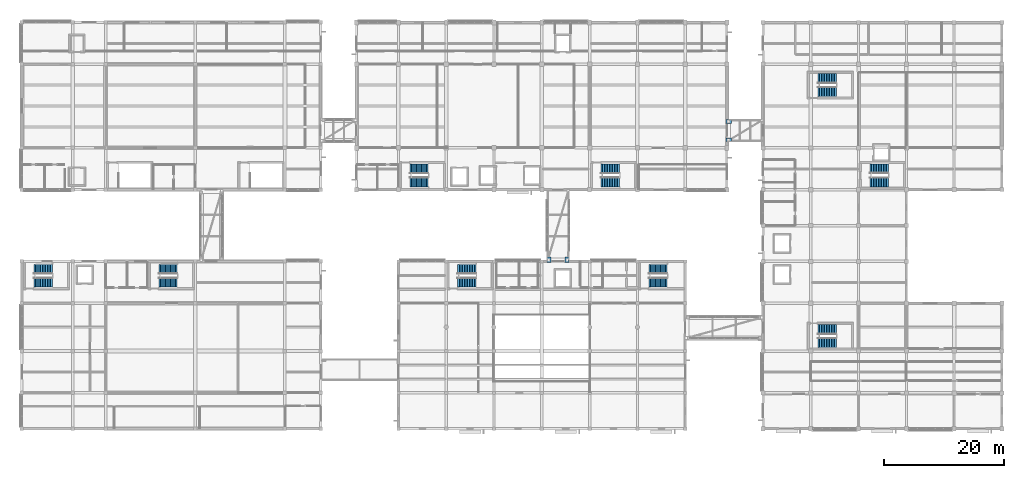
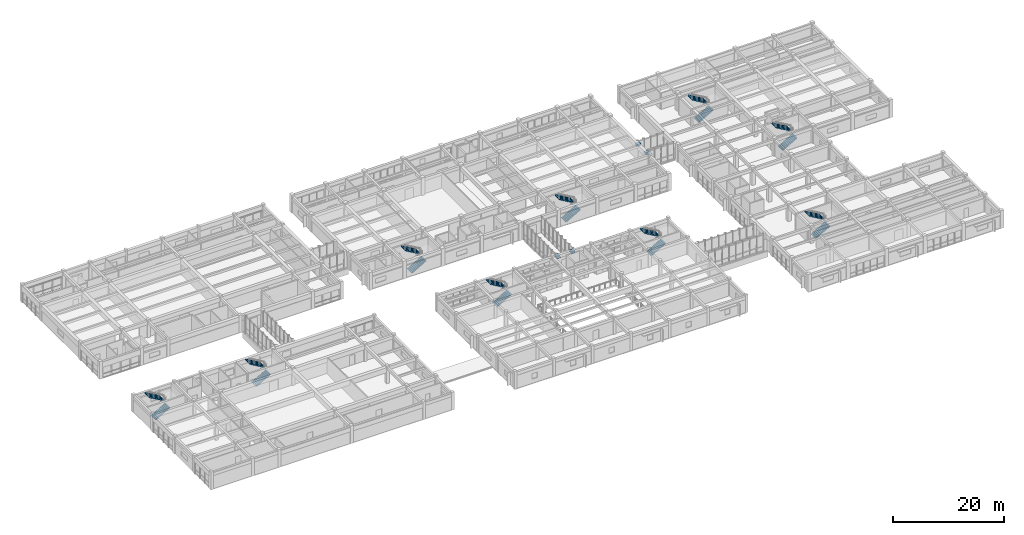
# One storey, part 55 of 66: 18 stair flights, 4 discrete accessories, 9 elements without a shape of their own.
"""IFC4 building model written with IfcOpenShell, lengths in metres."""

from ifc_helpers import new_model, si_unit, direction, frame, origin, origin_2d, place, context, subcontext, project, spatial, polyline, rectangle, outline, extrude, material, type_object, element, aggregate, save


model = new_model("IFC4")

# Units and contexts
model_context = context("Model", 3, precision=1e-05, world=origin(), true_north=direction((0.0, 1.0)))
body_context = subcontext(model_context, "Body", "Model", "MODEL_VIEW")
ifc_project = project(units=[si_unit("LENGTHUNIT", "METRE"), si_unit("AREAUNIT", "SQUARE_METRE"), si_unit("VOLUMEUNIT", "CUBIC_METRE"), si_unit("PLANEANGLEUNIT", "RADIAN"), si_unit("MASSUNIT", "GRAM", prefix="KILO")], contexts=[model_context])

# Site, building, storey
site_placement = place(None, origin())
site = spatial("IfcSite", under=ifc_project, at=site_placement, CompositionType="ELEMENT")
building_placement = place(site_placement, origin())
building = spatial("IfcBuilding", under=site, at=building_placement, Name="Naurynzar Civic Courthouse", CompositionType="ELEMENT")
storey_placement = place(building_placement, frame((0.0, 0.0, 14.39990234375)))
storey = spatial("IfcBuildingStorey", under=building, at=storey_placement, Name="L04", CompositionType="ELEMENT", Elevation=14.39990234375)

# Stair, stair flights
ifc_material_1 = material(Name="Concrete C35/45", Category="concrete")
stair_type_1 = type_object("IfcStairType", Name="STAIR-CUS-1550", PredefinedType="TWO_STRAIGHT_RUN_STAIR", material=ifc_material_1)
stair_1_placement = place(storey_placement, origin())
stair_1 = element("IfcStair", 1, at=stair_1_placement, inside=storey, type_object=stair_type_1, Name="Enclosed escape stair ST-CUS L04", PredefinedType="TWO_STRAIGHT_RUN_STAIR")
ifc_material_2 = material(Name="Concrete C35/45", Category="concrete")
stair_flight_type_1 = type_object("IfcStairFlightType", Name="FLIGHT-RC-1550", PredefinedType="STRAIGHT", material=ifc_material_2)
stair_flight_1_placement = place(storey_placement, frame((147.89990234375, 45.2548828125, 0.0), z_axis=(0.0, 0.0, 1.0), x_axis=(1.0, 0.0, 0.0)))
stair_flight_1 = element("IfcStairFlight", 2, at=stair_flight_1_placement, type_object=stair_flight_type_1, Name="ST-CUS-L04 flight 1", NumberOfRisers=12, NumberOfTreads=11, PredefinedType="STRAIGHT", RiserHeight=0.1625, TreadLength=0.28, context=body_context, shape_type="SweptSolid", body=[
    extrude(outline(polyline([(0.0, 0.0), (0.0, 0.16259765625), (0.280029296875, 0.16259765625), (0.280029296875, 0.324951171875), (0.56005859375, 0.324951171875), (0.56005859375, 0.487548828125), (0.840087890625, 0.487548828125), (0.840087890625, 0.64990234375), (1.1201171875, 0.64990234375), (1.1201171875, 0.8125), (1.39990234375, 0.8125), (1.39990234375, 0.97509765625), (1.679931640625, 0.97509765625), (1.679931640625, 1.137451171875), (1.9599609375, 1.137451171875), (1.9599609375, 1.300048828125), (2.239990234375, 1.300048828125), (2.239990234375, 1.46240234375), (2.52001953125, 1.46240234375), (2.52001953125, 1.625), (2.800048828125, 1.625), (2.800048828125, 1.78759765625), (3.080078125, 1.78759765625), (3.080078125, 1.949951171875), (3.080078125, 1.579345703125), (0.3583984375, 0.0), (0.0, 0.0)])), frame((0.0, 0.77490234375, 0.0), z_axis=(0.0, -1.0, 0.0), x_axis=(1.0, 0.0, 0.0)), (0.0, 0.0, 1.0), 1.550048828125),
])
stair_flight_2_placement = place(storey_placement, frame((150.97998046875, 47.544921875, 1.9501953125), z_axis=(0.0, 0.0, 1.0), x_axis=(-1.0, 0.0, 0.0)))
stair_flight_2 = element("IfcStairFlight", 3, at=stair_flight_2_placement, type_object=stair_flight_type_1, Name="ST-CUS-L04 flight 2", NumberOfRisers=12, NumberOfTreads=11, PredefinedType="STRAIGHT", RiserHeight=0.1625, TreadLength=0.28, context=body_context, shape_type="SweptSolid", body=[
    extrude(outline(polyline([(0.0, 0.0), (0.0, 0.16259765625), (0.280029296875, 0.16259765625), (0.280029296875, 0.324951171875), (0.56005859375, 0.324951171875), (0.56005859375, 0.487548828125), (0.840087890625, 0.487548828125), (0.840087890625, 0.64990234375), (1.1201171875, 0.64990234375), (1.1201171875, 0.8125), (1.39990234375, 0.8125), (1.39990234375, 0.97509765625), (1.679931640625, 0.97509765625), (1.679931640625, 1.137451171875), (1.9599609375, 1.137451171875), (1.9599609375, 1.300048828125), (2.239990234375, 1.300048828125), (2.239990234375, 1.46240234375), (2.52001953125, 1.46240234375), (2.52001953125, 1.625), (2.800048828125, 1.625), (2.800048828125, 1.78759765625), (3.080078125, 1.78759765625), (3.080078125, 1.949951171875), (3.080078125, 1.579345703125), (0.3583984375, 0.0), (0.0, 0.0)])), frame((0.0, 0.77490234375, 0.0), z_axis=(0.0, -1.0, 0.0), x_axis=(1.0, 0.0, 0.0)), (0.0, 0.0, 1.0), 1.550048828125),
])
aggregate(stair_1, [stair_flight_1, stair_flight_2])

ifc_material_3 = material(Name="Concrete C35/45", Category="concrete")
stair_type_2 = type_object("IfcStairType", Name="STAIR-CORE-1600", PredefinedType="TWO_STRAIGHT_RUN_STAIR", material=ifc_material_3)
stair_2_placement = place(storey_placement, origin())
stair_2 = element("IfcStair", 4, at=stair_2_placement, inside=storey, type_object=stair_type_2, Name="Enclosed escape stair ST-V4A L04", PredefinedType="TWO_STRAIGHT_RUN_STAIR")
ifc_material_4 = material(Name="Concrete C35/45", Category="concrete")
stair_flight_type_2 = type_object("IfcStairFlightType", Name="FLIGHT-RC-1600", PredefinedType="STRAIGHT", material=ifc_material_4)
stair_flight_3_placement = place(storey_placement, frame((8.0, 28.47998046875, 0.0), z_axis=(0.0, 0.0, 1.0), x_axis=(1.0, 0.0, 0.0)))
stair_flight_3 = element("IfcStairFlight", 5, at=stair_flight_3_placement, type_object=stair_flight_type_2, Name="ST-V4A-L04 flight 1", NumberOfRisers=12, NumberOfTreads=11, PredefinedType="STRAIGHT", RiserHeight=0.1625, TreadLength=0.28, context=body_context, shape_type="SweptSolid", body=[
    extrude(outline(polyline([(0.0, 0.0), (0.0, 0.16259765625), (0.280029296875, 0.16259765625), (0.280029296875, 0.324951171875), (0.56005859375, 0.324951171875), (0.56005859375, 0.487548828125), (0.840087890625, 0.487548828125), (0.840087890625, 0.64990234375), (1.1201171875, 0.64990234375), (1.1201171875, 0.8125), (1.39990234375, 0.8125), (1.39990234375, 0.97509765625), (1.679931640625, 0.97509765625), (1.679931640625, 1.137451171875), (1.9599609375, 1.137451171875), (1.9599609375, 1.300048828125), (2.239990234375, 1.300048828125), (2.239990234375, 1.46240234375), (2.52001953125, 1.46240234375), (2.52001953125, 1.625), (2.800048828125, 1.625), (2.800048828125, 1.78759765625), (3.080078125, 1.78759765625), (3.080078125, 1.949951171875), (3.080078125, 1.579345703125), (0.3583984375, 0.0), (0.0, 0.0)])), frame((0.0, 0.800048828125, 0.0), z_axis=(0.0, -1.0, 0.0), x_axis=(1.0, 0.0, 0.0)), (0.0, 0.0, 1.0), 1.60009765625),
])
stair_flight_4_placement = place(storey_placement, frame((11.080078125, 30.719970703125, 1.9501953125), z_axis=(0.0, 0.0, 1.0), x_axis=(-1.0, 0.0, 0.0)))
stair_flight_4 = element("IfcStairFlight", 6, at=stair_flight_4_placement, type_object=stair_flight_type_2, Name="ST-V4A-L04 flight 2", NumberOfRisers=12, NumberOfTreads=11, PredefinedType="STRAIGHT", RiserHeight=0.1625, TreadLength=0.28, context=body_context, shape_type="SweptSolid", body=[
    extrude(outline(polyline([(0.0, 0.0), (0.0, 0.16259765625), (0.280029296875, 0.16259765625), (0.280029296875, 0.324951171875), (0.56005859375, 0.324951171875), (0.56005859375, 0.487548828125), (0.840087890625, 0.487548828125), (0.840087890625, 0.64990234375), (1.1201171875, 0.64990234375), (1.1201171875, 0.8125), (1.39990234375, 0.8125), (1.39990234375, 0.97509765625), (1.679931640625, 0.97509765625), (1.679931640625, 1.137451171875), (1.9599609375, 1.137451171875), (1.9599609375, 1.300048828125), (2.239990234375, 1.300048828125), (2.239990234375, 1.46240234375), (2.52001953125, 1.46240234375), (2.52001953125, 1.625), (2.800048828125, 1.625), (2.800048828125, 1.78759765625), (3.080078125, 1.78759765625), (3.080078125, 1.949951171875), (3.080078125, 1.579345703125), (0.3583984375, 0.0), (0.0, 0.0)])), frame((0.0, 0.800048828125, 0.0), z_axis=(0.0, -1.0, 0.0), x_axis=(1.0, 0.0, 0.0)), (0.0, 0.0, 1.0), 1.60009765625),
])
aggregate(stair_2, [stair_flight_3, stair_flight_4])

stair_3_placement = place(storey_placement, origin())
stair_3 = element("IfcStair", 7, at=stair_3_placement, inside=storey, type_object=stair_type_2, Name="Enclosed escape stair ST-V4B L04", PredefinedType="TWO_STRAIGHT_RUN_STAIR")
stair_flight_5_placement = place(storey_placement, frame((28.89990234375, 28.47998046875, 0.0), z_axis=(0.0, 0.0, 1.0), x_axis=(1.0, 0.0, 0.0)))
stair_flight_5 = element("IfcStairFlight", 8, at=stair_flight_5_placement, type_object=stair_flight_type_2, Name="ST-V4B-L04 flight 1", NumberOfRisers=12, NumberOfTreads=11, PredefinedType="STRAIGHT", RiserHeight=0.1625, TreadLength=0.28, context=body_context, shape_type="SweptSolid", body=[
    extrude(outline(polyline([(0.0, 0.0), (0.0, 0.16259765625), (0.280029296875, 0.16259765625), (0.280029296875, 0.324951171875), (0.56005859375, 0.324951171875), (0.56005859375, 0.487548828125), (0.840087890625, 0.487548828125), (0.840087890625, 0.64990234375), (1.1201171875, 0.64990234375), (1.1201171875, 0.8125), (1.39990234375, 0.8125), (1.39990234375, 0.97509765625), (1.679931640625, 0.97509765625), (1.679931640625, 1.137451171875), (1.9599609375, 1.137451171875), (1.9599609375, 1.300048828125), (2.239990234375, 1.300048828125), (2.239990234375, 1.46240234375), (2.52001953125, 1.46240234375), (2.52001953125, 1.625), (2.800048828125, 1.625), (2.800048828125, 1.78759765625), (3.080078125, 1.78759765625), (3.080078125, 1.949951171875), (3.080078125, 1.579345703125), (0.3583984375, 0.0), (0.0, 0.0)])), frame((0.0, 0.800048828125, 0.0), z_axis=(0.0, -1.0, 0.0), x_axis=(1.0, 0.0, 0.0)), (0.0, 0.0, 1.0), 1.60009765625),
])
stair_flight_6_placement = place(storey_placement, frame((31.97998046875, 30.719970703125, 1.9501953125), z_axis=(0.0, 0.0, 1.0), x_axis=(-1.0, 0.0, 0.0)))
stair_flight_6 = element("IfcStairFlight", 9, at=stair_flight_6_placement, type_object=stair_flight_type_2, Name="ST-V4B-L04 flight 2", NumberOfRisers=12, NumberOfTreads=11, PredefinedType="STRAIGHT", RiserHeight=0.1625, TreadLength=0.28, context=body_context, shape_type="SweptSolid", body=[
    extrude(outline(polyline([(0.0, 0.0), (0.0, 0.16259765625), (0.280029296875, 0.16259765625), (0.280029296875, 0.324951171875), (0.56005859375, 0.324951171875), (0.56005859375, 0.487548828125), (0.840087890625, 0.487548828125), (0.840087890625, 0.64990234375), (1.1201171875, 0.64990234375), (1.1201171875, 0.8125), (1.39990234375, 0.8125), (1.39990234375, 0.97509765625), (1.679931640625, 0.97509765625), (1.679931640625, 1.137451171875), (1.9599609375, 1.137451171875), (1.9599609375, 1.300048828125), (2.239990234375, 1.300048828125), (2.239990234375, 1.46240234375), (2.52001953125, 1.46240234375), (2.52001953125, 1.625), (2.800048828125, 1.625), (2.800048828125, 1.78759765625), (3.080078125, 1.78759765625), (3.080078125, 1.949951171875), (3.080078125, 1.579345703125), (0.3583984375, 0.0), (0.0, 0.0)])), frame((0.0, 0.800048828125, 0.0), z_axis=(0.0, -1.0, 0.0), x_axis=(1.0, 0.0, 0.0)), (0.0, 0.0, 1.0), 1.60009765625),
])
aggregate(stair_3, [stair_flight_5, stair_flight_6])

stair_4_placement = place(storey_placement, origin())
stair_4 = element("IfcStair", 10, at=stair_4_placement, inside=storey, type_object=stair_type_2, Name="Enclosed escape stair ST-V2A L04", PredefinedType="TWO_STRAIGHT_RUN_STAIR")
stair_flight_7_placement = place(storey_placement, frame((70.89990234375, 45.280029296875, 0.0), z_axis=(0.0, 0.0, 1.0), x_axis=(1.0, 0.0, 0.0)))
stair_flight_7 = element("IfcStairFlight", 11, at=stair_flight_7_placement, type_object=stair_flight_type_2, Name="ST-V2A-L04 flight 1", NumberOfRisers=12, NumberOfTreads=11, PredefinedType="STRAIGHT", RiserHeight=0.1625, TreadLength=0.28, context=body_context, shape_type="SweptSolid", body=[
    extrude(outline(polyline([(0.0, 0.0), (0.0, 0.16259765625), (0.280029296875, 0.16259765625), (0.280029296875, 0.324951171875), (0.56005859375, 0.324951171875), (0.56005859375, 0.487548828125), (0.840087890625, 0.487548828125), (0.840087890625, 0.64990234375), (1.1201171875, 0.64990234375), (1.1201171875, 0.8125), (1.39990234375, 0.8125), (1.39990234375, 0.97509765625), (1.679931640625, 0.97509765625), (1.679931640625, 1.137451171875), (1.9599609375, 1.137451171875), (1.9599609375, 1.300048828125), (2.239990234375, 1.300048828125), (2.239990234375, 1.46240234375), (2.52001953125, 1.46240234375), (2.52001953125, 1.625), (2.800048828125, 1.625), (2.800048828125, 1.78759765625), (3.080078125, 1.78759765625), (3.080078125, 1.949951171875), (3.080078125, 1.579345703125), (0.3583984375, 0.0), (0.0, 0.0)])), frame((0.0, 0.800048828125, 0.0), z_axis=(0.0, -1.0, 0.0), x_axis=(1.0, 0.0, 0.0)), (0.0, 0.0, 1.0), 1.60009765625),
])
stair_flight_8_placement = place(storey_placement, frame((73.97998046875, 47.52001953125, 1.9501953125), z_axis=(0.0, 0.0, 1.0), x_axis=(-1.0, 0.0, 0.0)))
stair_flight_8 = element("IfcStairFlight", 12, at=stair_flight_8_placement, type_object=stair_flight_type_2, Name="ST-V2A-L04 flight 2", NumberOfRisers=12, NumberOfTreads=11, PredefinedType="STRAIGHT", RiserHeight=0.1625, TreadLength=0.28, context=body_context, shape_type="SweptSolid", body=[
    extrude(outline(polyline([(0.0, 0.0), (0.0, 0.16259765625), (0.280029296875, 0.16259765625), (0.280029296875, 0.324951171875), (0.56005859375, 0.324951171875), (0.56005859375, 0.487548828125), (0.840087890625, 0.487548828125), (0.840087890625, 0.64990234375), (1.1201171875, 0.64990234375), (1.1201171875, 0.8125), (1.39990234375, 0.8125), (1.39990234375, 0.97509765625), (1.679931640625, 0.97509765625), (1.679931640625, 1.137451171875), (1.9599609375, 1.137451171875), (1.9599609375, 1.300048828125), (2.239990234375, 1.300048828125), (2.239990234375, 1.46240234375), (2.52001953125, 1.46240234375), (2.52001953125, 1.625), (2.800048828125, 1.625), (2.800048828125, 1.78759765625), (3.080078125, 1.78759765625), (3.080078125, 1.949951171875), (3.080078125, 1.579345703125), (0.3583984375, 0.0), (0.0, 0.0)])), frame((0.0, 0.800048828125, 0.0), z_axis=(0.0, -1.0, 0.0), x_axis=(1.0, 0.0, 0.0)), (0.0, 0.0, 1.0), 1.60009765625),
])
aggregate(stair_4, [stair_flight_7, stair_flight_8])

stair_5_placement = place(storey_placement, origin())
stair_5 = element("IfcStair", 13, at=stair_5_placement, inside=storey, type_object=stair_type_2, Name="Enclosed escape stair ST-V2B L04", PredefinedType="TWO_STRAIGHT_RUN_STAIR")
stair_flight_9_placement = place(storey_placement, frame((102.89990234375, 45.280029296875, 0.0), z_axis=(0.0, 0.0, 1.0), x_axis=(1.0, 0.0, 0.0)))
stair_flight_9 = element("IfcStairFlight", 14, at=stair_flight_9_placement, type_object=stair_flight_type_2, Name="ST-V2B-L04 flight 1", NumberOfRisers=12, NumberOfTreads=11, PredefinedType="STRAIGHT", RiserHeight=0.1625, TreadLength=0.28, context=body_context, shape_type="SweptSolid", body=[
    extrude(outline(polyline([(0.0, 0.0), (0.0, 0.16259765625), (0.280029296875, 0.16259765625), (0.280029296875, 0.324951171875), (0.56005859375, 0.324951171875), (0.56005859375, 0.487548828125), (0.840087890625, 0.487548828125), (0.840087890625, 0.64990234375), (1.1201171875, 0.64990234375), (1.1201171875, 0.8125), (1.39990234375, 0.8125), (1.39990234375, 0.97509765625), (1.679931640625, 0.97509765625), (1.679931640625, 1.137451171875), (1.9599609375, 1.137451171875), (1.9599609375, 1.300048828125), (2.239990234375, 1.300048828125), (2.239990234375, 1.46240234375), (2.52001953125, 1.46240234375), (2.52001953125, 1.625), (2.800048828125, 1.625), (2.800048828125, 1.78759765625), (3.080078125, 1.78759765625), (3.080078125, 1.949951171875), (3.080078125, 1.579345703125), (0.3583984375, 0.0), (0.0, 0.0)])), frame((0.0, 0.800048828125, 0.0), z_axis=(0.0, -1.0, 0.0), x_axis=(1.0, 0.0, 0.0)), (0.0, 0.0, 1.0), 1.60009765625),
])
stair_flight_10_placement = place(storey_placement, frame((105.97998046875, 47.52001953125, 1.9501953125), z_axis=(0.0, 0.0, 1.0), x_axis=(-1.0, 0.0, 0.0)))
stair_flight_10 = element("IfcStairFlight", 15, at=stair_flight_10_placement, type_object=stair_flight_type_2, Name="ST-V2B-L04 flight 2", NumberOfRisers=12, NumberOfTreads=11, PredefinedType="STRAIGHT", RiserHeight=0.1625, TreadLength=0.28, context=body_context, shape_type="SweptSolid", body=[
    extrude(outline(polyline([(0.0, 0.0), (0.0, 0.16259765625), (0.280029296875, 0.16259765625), (0.280029296875, 0.324951171875), (0.56005859375, 0.324951171875), (0.56005859375, 0.487548828125), (0.840087890625, 0.487548828125), (0.840087890625, 0.64990234375), (1.1201171875, 0.64990234375), (1.1201171875, 0.8125), (1.39990234375, 0.8125), (1.39990234375, 0.97509765625), (1.679931640625, 0.97509765625), (1.679931640625, 1.137451171875), (1.9599609375, 1.137451171875), (1.9599609375, 1.300048828125), (2.239990234375, 1.300048828125), (2.239990234375, 1.46240234375), (2.52001953125, 1.46240234375), (2.52001953125, 1.625), (2.800048828125, 1.625), (2.800048828125, 1.78759765625), (3.080078125, 1.78759765625), (3.080078125, 1.949951171875), (3.080078125, 1.579345703125), (0.3583984375, 0.0), (0.0, 0.0)])), frame((0.0, 0.800048828125, 0.0), z_axis=(0.0, -1.0, 0.0), x_axis=(1.0, 0.0, 0.0)), (0.0, 0.0, 1.0), 1.60009765625),
])
aggregate(stair_5, [stair_flight_9, stair_flight_10])

stair_6_placement = place(storey_placement, origin())
stair_6 = element("IfcStair", 16, at=stair_6_placement, inside=storey, type_object=stair_type_2, Name="Enclosed escape stair ST-V3A L04", PredefinedType="TWO_STRAIGHT_RUN_STAIR")
stair_flight_11_placement = place(storey_placement, frame((78.89990234375, 28.47998046875, 0.0), z_axis=(0.0, 0.0, 1.0), x_axis=(1.0, 0.0, 0.0)))
stair_flight_11 = element("IfcStairFlight", 17, at=stair_flight_11_placement, type_object=stair_flight_type_2, Name="ST-V3A-L04 flight 1", NumberOfRisers=12, NumberOfTreads=11, PredefinedType="STRAIGHT", RiserHeight=0.1625, TreadLength=0.28, context=body_context, shape_type="SweptSolid", body=[
    extrude(outline(polyline([(0.0, 0.0), (0.0, 0.16259765625), (0.280029296875, 0.16259765625), (0.280029296875, 0.324951171875), (0.56005859375, 0.324951171875), (0.56005859375, 0.487548828125), (0.840087890625, 0.487548828125), (0.840087890625, 0.64990234375), (1.1201171875, 0.64990234375), (1.1201171875, 0.8125), (1.39990234375, 0.8125), (1.39990234375, 0.97509765625), (1.679931640625, 0.97509765625), (1.679931640625, 1.137451171875), (1.9599609375, 1.137451171875), (1.9599609375, 1.300048828125), (2.239990234375, 1.300048828125), (2.239990234375, 1.46240234375), (2.52001953125, 1.46240234375), (2.52001953125, 1.625), (2.800048828125, 1.625), (2.800048828125, 1.78759765625), (3.080078125, 1.78759765625), (3.080078125, 1.949951171875), (3.080078125, 1.579345703125), (0.3583984375, 0.0), (0.0, 0.0)])), frame((0.0, 0.800048828125, 0.0), z_axis=(0.0, -1.0, 0.0), x_axis=(1.0, 0.0, 0.0)), (0.0, 0.0, 1.0), 1.60009765625),
])
stair_flight_12_placement = place(storey_placement, frame((81.97998046875, 30.719970703125, 1.9501953125), z_axis=(0.0, 0.0, 1.0), x_axis=(-1.0, 0.0, 0.0)))
stair_flight_12 = element("IfcStairFlight", 18, at=stair_flight_12_placement, type_object=stair_flight_type_2, Name="ST-V3A-L04 flight 2", NumberOfRisers=12, NumberOfTreads=11, PredefinedType="STRAIGHT", RiserHeight=0.1625, TreadLength=0.28, context=body_context, shape_type="SweptSolid", body=[
    extrude(outline(polyline([(0.0, 0.0), (0.0, 0.16259765625), (0.280029296875, 0.16259765625), (0.280029296875, 0.324951171875), (0.56005859375, 0.324951171875), (0.56005859375, 0.487548828125), (0.840087890625, 0.487548828125), (0.840087890625, 0.64990234375), (1.1201171875, 0.64990234375), (1.1201171875, 0.8125), (1.39990234375, 0.8125), (1.39990234375, 0.97509765625), (1.679931640625, 0.97509765625), (1.679931640625, 1.137451171875), (1.9599609375, 1.137451171875), (1.9599609375, 1.300048828125), (2.239990234375, 1.300048828125), (2.239990234375, 1.46240234375), (2.52001953125, 1.46240234375), (2.52001953125, 1.625), (2.800048828125, 1.625), (2.800048828125, 1.78759765625), (3.080078125, 1.78759765625), (3.080078125, 1.949951171875), (3.080078125, 1.579345703125), (0.3583984375, 0.0), (0.0, 0.0)])), frame((0.0, 0.800048828125, 0.0), z_axis=(0.0, -1.0, 0.0), x_axis=(1.0, 0.0, 0.0)), (0.0, 0.0, 1.0), 1.60009765625),
])
aggregate(stair_6, [stair_flight_11, stair_flight_12])

stair_7_placement = place(storey_placement, origin())
stair_7 = element("IfcStair", 19, at=stair_7_placement, inside=storey, type_object=stair_type_2, Name="Enclosed escape stair ST-V3B L04", PredefinedType="TWO_STRAIGHT_RUN_STAIR")
stair_flight_13_placement = place(storey_placement, frame((110.89990234375, 28.47998046875, 0.0), z_axis=(0.0, 0.0, 1.0), x_axis=(1.0, 0.0, 0.0)))
stair_flight_13 = element("IfcStairFlight", 20, at=stair_flight_13_placement, type_object=stair_flight_type_2, Name="ST-V3B-L04 flight 1", NumberOfRisers=12, NumberOfTreads=11, PredefinedType="STRAIGHT", RiserHeight=0.1625, TreadLength=0.28, context=body_context, shape_type="SweptSolid", body=[
    extrude(outline(polyline([(0.0, 0.0), (0.0, 0.16259765625), (0.280029296875, 0.16259765625), (0.280029296875, 0.324951171875), (0.56005859375, 0.324951171875), (0.56005859375, 0.487548828125), (0.840087890625, 0.487548828125), (0.840087890625, 0.64990234375), (1.1201171875, 0.64990234375), (1.1201171875, 0.8125), (1.39990234375, 0.8125), (1.39990234375, 0.97509765625), (1.679931640625, 0.97509765625), (1.679931640625, 1.137451171875), (1.9599609375, 1.137451171875), (1.9599609375, 1.300048828125), (2.239990234375, 1.300048828125), (2.239990234375, 1.46240234375), (2.52001953125, 1.46240234375), (2.52001953125, 1.625), (2.800048828125, 1.625), (2.800048828125, 1.78759765625), (3.080078125, 1.78759765625), (3.080078125, 1.949951171875), (3.080078125, 1.579345703125), (0.3583984375, 0.0), (0.0, 0.0)])), frame((0.0, 0.800048828125, 0.0), z_axis=(0.0, -1.0, 0.0), x_axis=(1.0, 0.0, 0.0)), (0.0, 0.0, 1.0), 1.60009765625),
])
stair_flight_14_placement = place(storey_placement, frame((113.97998046875, 30.719970703125, 1.9501953125), z_axis=(0.0, 0.0, 1.0), x_axis=(-1.0, 0.0, 0.0)))
stair_flight_14 = element("IfcStairFlight", 21, at=stair_flight_14_placement, type_object=stair_flight_type_2, Name="ST-V3B-L04 flight 2", NumberOfRisers=12, NumberOfTreads=11, PredefinedType="STRAIGHT", RiserHeight=0.1625, TreadLength=0.28, context=body_context, shape_type="SweptSolid", body=[
    extrude(outline(polyline([(0.0, 0.0), (0.0, 0.16259765625), (0.280029296875, 0.16259765625), (0.280029296875, 0.324951171875), (0.56005859375, 0.324951171875), (0.56005859375, 0.487548828125), (0.840087890625, 0.487548828125), (0.840087890625, 0.64990234375), (1.1201171875, 0.64990234375), (1.1201171875, 0.8125), (1.39990234375, 0.8125), (1.39990234375, 0.97509765625), (1.679931640625, 0.97509765625), (1.679931640625, 1.137451171875), (1.9599609375, 1.137451171875), (1.9599609375, 1.300048828125), (2.239990234375, 1.300048828125), (2.239990234375, 1.46240234375), (2.52001953125, 1.46240234375), (2.52001953125, 1.625), (2.800048828125, 1.625), (2.800048828125, 1.78759765625), (3.080078125, 1.78759765625), (3.080078125, 1.949951171875), (3.080078125, 1.579345703125), (0.3583984375, 0.0), (0.0, 0.0)])), frame((0.0, 0.800048828125, 0.0), z_axis=(0.0, -1.0, 0.0), x_axis=(1.0, 0.0, 0.0)), (0.0, 0.0, 1.0), 1.60009765625),
])
aggregate(stair_7, [stair_flight_13, stair_flight_14])

stair_8_placement = place(storey_placement, origin())
stair_8 = element("IfcStair", 22, at=stair_8_placement, inside=storey, type_object=stair_type_2, Name="Enclosed escape stair ST-V5A L04", PredefinedType="TWO_STRAIGHT_RUN_STAIR")
stair_flight_15_placement = place(storey_placement, frame((139.199951171875, 18.3798828125, 0.0), z_axis=(0.0, 0.0, 1.0), x_axis=(1.0, 0.0, 0.0)))
stair_flight_15 = element("IfcStairFlight", 23, at=stair_flight_15_placement, type_object=stair_flight_type_2, Name="ST-V5A-L04 flight 1", NumberOfRisers=12, NumberOfTreads=11, PredefinedType="STRAIGHT", RiserHeight=0.1625, TreadLength=0.28, context=body_context, shape_type="SweptSolid", body=[
    extrude(outline(polyline([(0.0, 0.0), (0.0, 0.16259765625), (0.280029296875, 0.16259765625), (0.280029296875, 0.324951171875), (0.56005859375, 0.324951171875), (0.56005859375, 0.487548828125), (0.840087890625, 0.487548828125), (0.840087890625, 0.64990234375), (1.1201171875, 0.64990234375), (1.1201171875, 0.8125), (1.39990234375, 0.8125), (1.39990234375, 0.97509765625), (1.679931640625, 0.97509765625), (1.679931640625, 1.137451171875), (1.9599609375, 1.137451171875), (1.9599609375, 1.300048828125), (2.239990234375, 1.300048828125), (2.239990234375, 1.46240234375), (2.52001953125, 1.46240234375), (2.52001953125, 1.625), (2.800048828125, 1.625), (2.800048828125, 1.78759765625), (3.080078125, 1.78759765625), (3.080078125, 1.949951171875), (3.080078125, 1.579345703125), (0.3583984375, 0.0), (0.0, 0.0)])), frame((0.0, 0.800048828125, 0.0), z_axis=(0.0, -1.0, 0.0), x_axis=(1.0, 0.0, 0.0)), (0.0, 0.0, 1.0), 1.60009765625),
])
stair_flight_16_placement = place(storey_placement, frame((142.280029296875, 20.6201171875, 1.9501953125), z_axis=(0.0, 0.0, 1.0), x_axis=(-1.0, 0.0, 0.0)))
stair_flight_16 = element("IfcStairFlight", 24, at=stair_flight_16_placement, type_object=stair_flight_type_2, Name="ST-V5A-L04 flight 2", NumberOfRisers=12, NumberOfTreads=11, PredefinedType="STRAIGHT", RiserHeight=0.1625, TreadLength=0.28, context=body_context, shape_type="SweptSolid", body=[
    extrude(outline(polyline([(0.0, 0.0), (0.0, 0.16259765625), (0.280029296875, 0.16259765625), (0.280029296875, 0.324951171875), (0.56005859375, 0.324951171875), (0.56005859375, 0.487548828125), (0.840087890625, 0.487548828125), (0.840087890625, 0.64990234375), (1.1201171875, 0.64990234375), (1.1201171875, 0.8125), (1.39990234375, 0.8125), (1.39990234375, 0.97509765625), (1.679931640625, 0.97509765625), (1.679931640625, 1.137451171875), (1.9599609375, 1.137451171875), (1.9599609375, 1.300048828125), (2.239990234375, 1.300048828125), (2.239990234375, 1.46240234375), (2.52001953125, 1.46240234375), (2.52001953125, 1.625), (2.800048828125, 1.625), (2.800048828125, 1.78759765625), (3.080078125, 1.78759765625), (3.080078125, 1.949951171875), (3.080078125, 1.579345703125), (0.3583984375, 0.0), (0.0, 0.0)])), frame((0.0, 0.800048828125, 0.0), z_axis=(0.0, -1.0, 0.0), x_axis=(1.0, 0.0, 0.0)), (0.0, 0.0, 1.0), 1.60009765625),
])
aggregate(stair_8, [stair_flight_15, stair_flight_16])

stair_9_placement = place(storey_placement, origin())
stair_9 = element("IfcStair", 25, at=stair_9_placement, inside=storey, type_object=stair_type_2, Name="Enclosed escape stair ST-V5B L04", PredefinedType="TWO_STRAIGHT_RUN_STAIR")
stair_flight_17_placement = place(storey_placement, frame((139.199951171875, 60.3798828125, 0.0), z_axis=(0.0, 0.0, 1.0), x_axis=(1.0, 0.0, 0.0)))
stair_flight_17 = element("IfcStairFlight", 26, at=stair_flight_17_placement, type_object=stair_flight_type_2, Name="ST-V5B-L04 flight 1", NumberOfRisers=12, NumberOfTreads=11, PredefinedType="STRAIGHT", RiserHeight=0.1625, TreadLength=0.28, context=body_context, shape_type="SweptSolid", body=[
    extrude(outline(polyline([(0.0, 0.0), (0.0, 0.16259765625), (0.280029296875, 0.16259765625), (0.280029296875, 0.324951171875), (0.56005859375, 0.324951171875), (0.56005859375, 0.487548828125), (0.840087890625, 0.487548828125), (0.840087890625, 0.64990234375), (1.1201171875, 0.64990234375), (1.1201171875, 0.8125), (1.39990234375, 0.8125), (1.39990234375, 0.97509765625), (1.679931640625, 0.97509765625), (1.679931640625, 1.137451171875), (1.9599609375, 1.137451171875), (1.9599609375, 1.300048828125), (2.239990234375, 1.300048828125), (2.239990234375, 1.46240234375), (2.52001953125, 1.46240234375), (2.52001953125, 1.625), (2.800048828125, 1.625), (2.800048828125, 1.78759765625), (3.080078125, 1.78759765625), (3.080078125, 1.949951171875), (3.080078125, 1.579345703125), (0.3583984375, 0.0), (0.0, 0.0)])), frame((0.0, 0.800048828125, 0.0), z_axis=(0.0, -1.0, 0.0), x_axis=(1.0, 0.0, 0.0)), (0.0, 0.0, 1.0), 1.60009765625),
])
stair_flight_18_placement = place(storey_placement, frame((142.280029296875, 62.6201171875, 1.9501953125), z_axis=(0.0, 0.0, 1.0), x_axis=(-1.0, 0.0, 0.0)))
stair_flight_18 = element("IfcStairFlight", 27, at=stair_flight_18_placement, type_object=stair_flight_type_2, Name="ST-V5B-L04 flight 2", NumberOfRisers=12, NumberOfTreads=11, PredefinedType="STRAIGHT", RiserHeight=0.1625, TreadLength=0.28, context=body_context, shape_type="SweptSolid", body=[
    extrude(outline(polyline([(0.0, 0.0), (0.0, 0.16259765625), (0.280029296875, 0.16259765625), (0.280029296875, 0.324951171875), (0.56005859375, 0.324951171875), (0.56005859375, 0.487548828125), (0.840087890625, 0.487548828125), (0.840087890625, 0.64990234375), (1.1201171875, 0.64990234375), (1.1201171875, 0.8125), (1.39990234375, 0.8125), (1.39990234375, 0.97509765625), (1.679931640625, 0.97509765625), (1.679931640625, 1.137451171875), (1.9599609375, 1.137451171875), (1.9599609375, 1.300048828125), (2.239990234375, 1.300048828125), (2.239990234375, 1.46240234375), (2.52001953125, 1.46240234375), (2.52001953125, 1.625), (2.800048828125, 1.625), (2.800048828125, 1.78759765625), (3.080078125, 1.78759765625), (3.080078125, 1.949951171875), (3.080078125, 1.579345703125), (0.3583984375, 0.0), (0.0, 0.0)])), frame((0.0, 0.800048828125, 0.0), z_axis=(0.0, -1.0, 0.0), x_axis=(1.0, 0.0, 0.0)), (0.0, 0.0, 1.0), 1.60009765625),
])
aggregate(stair_9, [stair_flight_17, stair_flight_18])

# Discrete accessories
ifc_material_5 = material(Name="Concrete C40/50", Category="concrete")
discrete_accessory_type = type_object("IfcDiscreteAccessoryType", Name="CORB-RC-850", PredefinedType="BRACKET", material=ifc_material_5)
for number, where, z_axis, x_axis, name in (
    (28, (94.169921875, 32.27490234375, 2.80029296875), (0.0, 0.0, 1.0), (1.0, 0.0, 0.0), "BR-C1 850mm RC seismic bridge corbel seat L05.1"),
    (29, (97.22998046875, 32.27490234375, 2.80029296875), (0.0, 0.0, 1.0), (1.0, 0.0, 0.0), "BR-C1 850mm RC seismic bridge corbel seat L05.2"),
):
    element("IfcDiscreteAccessory", number, at=place(storey_placement, frame(where, z_axis=z_axis, x_axis=x_axis)), inside=storey, type_object=discrete_accessory_type, Name=name, PredefinedType="BRACKET", context=body_context, shape_type="SweptSolid", body=[
        extrude(rectangle(XDim=0.64990234375, YDim=0.85009765625, at=origin_2d()), origin(), (0.0, 0.0, 1.0), 0.449951171875),
    ])
for number, where, z_axis, x_axis, name in (
    (30, (124.27490234375, 52.3701171875, 2.80029296875), (0.0, 0.0, 1.0), (1.0, 0.0, 0.0), "BR-E1 850mm RC seismic bridge corbel seat L05.1"),
    (31, (124.27490234375, 55.429931640625, 2.80029296875), (0.0, 0.0, 1.0), (1.0, 0.0, 0.0), "BR-E1 850mm RC seismic bridge corbel seat L05.2"),
):
    element("IfcDiscreteAccessory", number, at=place(storey_placement, frame(where, z_axis=z_axis, x_axis=x_axis)), inside=storey, type_object=discrete_accessory_type, Name=name, PredefinedType="BRACKET", context=body_context, shape_type="SweptSolid", body=[
        extrude(rectangle(XDim=0.85009765625, YDim=0.64990234375, at=origin_2d()), origin(), (0.0, 0.0, 1.0), 0.449951171875),
    ])

save(model, "model.ifc")
